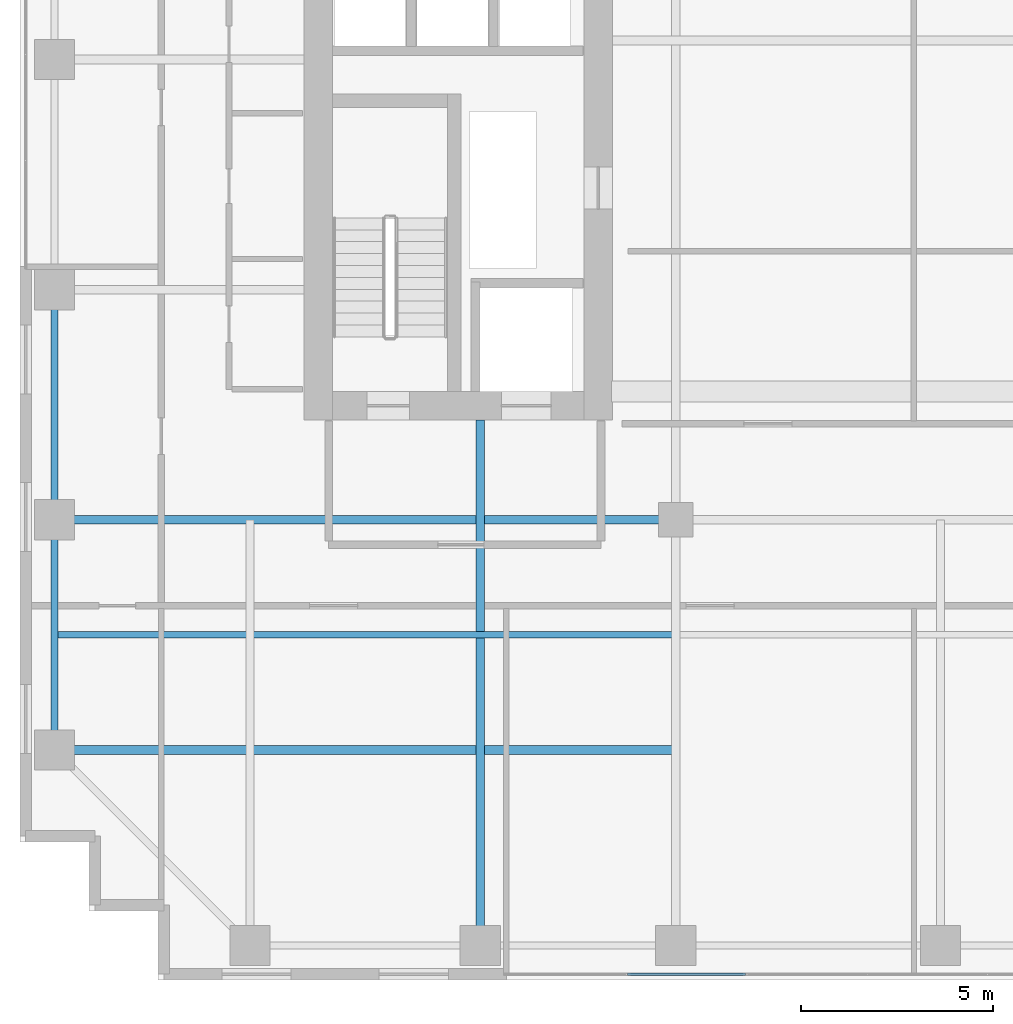
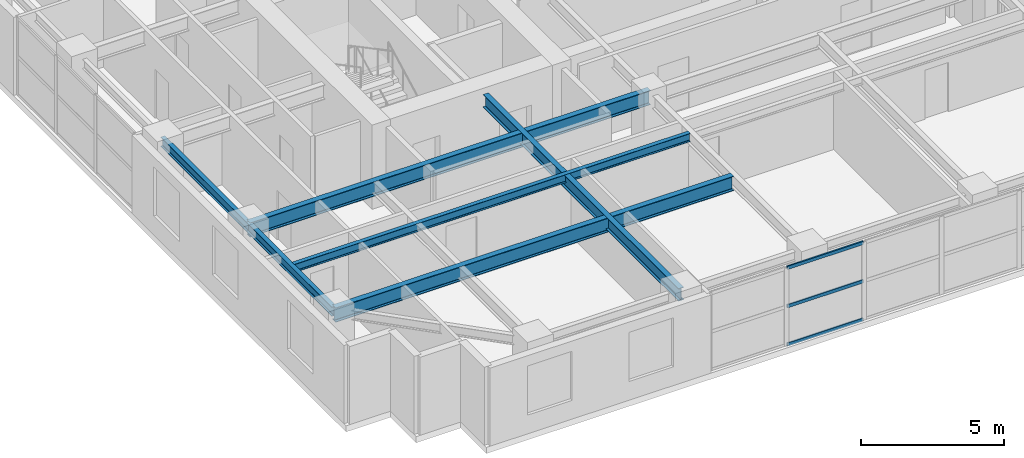
# One storey, part 3 of 18: 6 beams, 3 members, 1 element without a shape of its own.
"""IFC4 building model written with IfcOpenShell, lengths in metres."""

from ifc_helpers import new_model, si_unit, direction, frame, origin, origin_2d, place, context, subcontext, project, spatial, hollow_rectangle, i_section, extrude, source, transform, mapped, material, layer, layer_set, material_profile, profile_set, type_object, element, aggregate, save


model = new_model("IFC4")

# Units and contexts
model_context = context("Model", 3, precision=1e-05, world=origin(), true_north=direction((0.0, 1.0)))
body_context = subcontext(model_context, "Body", "Model", "MODEL_VIEW")
ifc_project = project(units=[si_unit("LENGTHUNIT", "METRE"), si_unit("AREAUNIT", "SQUARE_METRE"), si_unit("VOLUMEUNIT", "CUBIC_METRE"), si_unit("PLANEANGLEUNIT", "RADIAN"), si_unit("MASSUNIT", "GRAM", prefix="KILO")], contexts=[model_context])

# Site, building, storey
site_placement = place(None, origin())
site = spatial("IfcSite", under=ifc_project, at=site_placement, CompositionType="ELEMENT")
building_placement = place(site_placement, origin())
building = spatial("IfcBuilding", under=site, at=building_placement, Name="Khoralis Quay Care Tower", CompositionType="ELEMENT")
storey_placement = place(building_placement, frame((0.0, 0.0, 130.5)))
storey = spatial("IfcBuildingStorey", under=building, at=storey_placement, Name="L34", CompositionType="ELEMENT", Elevation=130.5)

# Beams
ifc_material_1 = material(Name="Steel S355", Category="steel")
ifc_material_profile_1 = material_profile(ifc_material_1, i_section(OverallWidth=0.179931640625, OverallDepth=0.39990234375, WebThickness=0.008544921875, FlangeThickness=0.013427734375, FilletRadius=0.02099609375, at=origin_2d()), Name="Steel S355")
ifc_profile_set_1 = profile_set([ifc_material_profile_1], Name="Steel S355")
beam_type_1 = type_object("IfcBeamType", Name="BM-IPE400", PredefinedType="SPANDREL", material=ifc_profile_set_1)
shared_shape_1 = source(origin(), body_context, "Body", "SweptSolid", [
    extrude(i_section(OverallWidth=0.179931640625, OverallDepth=0.39990234375, WebThickness=0.008544921875, FlangeThickness=0.013427734375, FilletRadius=0.02099609375, at=origin_2d()), origin(), (0.0, 0.0, 1.0), 6.0),
])
for number, where, z_axis, x_axis, name in (
    (1, (0.89990234375, 6.0, 3.139892578125), (0.0, 1.0, 0.0), (-1.0, 0.0, 0.0), "BM-TSP-L34-11"),
    (2, (0.89990234375, 12.0, 3.139892578125), (0.0, 1.0, 0.0), (-1.0, 0.0, 0.0), "BM-TSP-L34-12"),
):
    element("IfcBeam", number, at=place(storey_placement, frame(where, z_axis=z_axis, x_axis=x_axis)), inside=storey, type_object=beam_type_1, Name=name, PredefinedType="SPANDREL", context=body_context, shape_type="MappedRepresentation", body=[
        mapped(shared_shape_1, transform((0.0, 0.0, 0.0), scale=1.0)),
    ])
ifc_material_profile_2 = material_profile(ifc_material_1, i_section(OverallWidth=0.22998046875, OverallDepth=0.616943359375, WebThickness=0.01318359375, FlangeThickness=0.022216796875, FilletRadius=0.01806640625, at=origin_2d()), Name="Steel S355")
ifc_profile_set_2 = profile_set([ifc_material_profile_2], Name="Steel S355")
beam_type_2 = type_object("IfcBeamType", Name="BM-W610X140", PredefinedType="BEAM", material=ifc_profile_set_2)
shared_shape_2 = source(origin(), body_context, "Body", "SweptSolid", [
    extrude(i_section(OverallWidth=0.22998046875, OverallDepth=0.616943359375, WebThickness=0.01318359375, FlangeThickness=0.022216796875, FilletRadius=0.01806640625, at=origin_2d()), origin(), (0.0, 0.0, 1.0), 16.106201171875),
])
beam_1_placement = place(storey_placement, frame((0.89990234375, 6.0, 3.031494140625), z_axis=(1.0, 0.0, 0.0), x_axis=(0.0, 1.0, 0.0)))
element("IfcBeam", 3, at=beam_1_placement, inside=storey, type_object=beam_type_2, Name="BM-TGXW-L34-60", PredefinedType="BEAM", context=body_context, shape_type="MappedRepresentation", body=[
    mapped(shared_shape_2, transform((0.0, 0.0, 0.0), scale=1.0)),
])
shared_shape_3 = source(origin(), body_context, "Body", "SweptSolid", [
    extrude(i_section(OverallWidth=0.22998046875, OverallDepth=0.616943359375, WebThickness=0.01318359375, FlangeThickness=0.022216796875, FilletRadius=0.01806640625, at=origin_2d()), origin(), (0.0, 0.0, 1.0), 16.2001953125),
])
beam_2_placement = place(storey_placement, frame((0.89990234375, 12.0, 3.031494140625), z_axis=(1.0, 0.0, 0.0), x_axis=(0.0, 1.0, 0.0)))
element("IfcBeam", 4, at=beam_2_placement, inside=storey, type_object=beam_type_2, Name="BM-TGXW-L34-120", PredefinedType="BEAM", context=body_context, shape_type="MappedRepresentation", body=[
    mapped(shared_shape_3, transform((0.0, 0.0, 0.0), scale=1.0)),
])
ifc_material_profile_3 = material_profile(ifc_material_1, i_section(OverallWidth=0.2119140625, OverallDepth=0.5439453125, WebThickness=0.01318359375, FlangeThickness=0.021240234375, FilletRadius=0.01611328125, at=origin_2d()), Name="Steel S355")
ifc_profile_set_3 = profile_set([ifc_material_profile_3], Name="Steel S355")
beam_type_3 = type_object("IfcBeamType", Name="BM-W530X123", PredefinedType="BEAM", material=ifc_profile_set_3)
shared_shape_4 = source(origin(), body_context, "Body", "SweptSolid", [
    extrude(i_section(OverallWidth=0.2119140625, OverallDepth=0.5439453125, WebThickness=0.01318359375, FlangeThickness=0.021240234375, FilletRadius=0.01611328125, at=origin_2d()), origin(), (0.0, 0.0, 1.0), 13.7021484375),
])
beam_3_placement = place(storey_placement, frame((12.0, 0.89990234375, 3.068115234375), z_axis=(0.0, 1.0, 0.0), x_axis=(-1.0, 0.0, 0.0)))
element("IfcBeam", 5, at=beam_3_placement, inside=storey, type_object=beam_type_3, Name="BM-TGYS-L34-120", PredefinedType="BEAM", context=body_context, shape_type="MappedRepresentation", body=[
    mapped(shared_shape_4, transform((0.0, 0.0, 0.0), scale=1.0)),
])
ifc_material_profile_4 = material_profile(ifc_material_1, i_section(OverallWidth=0.1708984375, OverallDepth=0.35498046875, WebThickness=0.007080078125, FlangeThickness=0.01171875, FilletRadius=0.012939453125, at=origin_2d()), Name="Steel S355")
ifc_profile_set_4 = profile_set([ifc_material_profile_4], Name="Steel S355")
beam_type_4 = type_object("IfcBeamType", Name="BM-W360X51", PredefinedType="JOIST", material=ifc_profile_set_4)
shared_shape_5 = source(origin(), body_context, "Body", "SweptSolid", [
    extrude(i_section(OverallWidth=0.1708984375, OverallDepth=0.35498046875, WebThickness=0.007080078125, FlangeThickness=0.01171875, FilletRadius=0.012939453125, at=origin_2d()), origin(), (0.0, 0.0, 1.0), 16.030029296875),
])
beam_4_placement = place(storey_placement, frame((0.97607421875, 9.0, 3.16259765625), z_axis=(1.0, 0.0, 0.0), x_axis=(0.0, 1.0, 0.0)))
element("IfcBeam", 6, at=beam_4_placement, inside=storey, type_object=beam_type_4, Name="BM-TJS-L34-25", PredefinedType="JOIST", context=body_context, shape_type="MappedRepresentation", body=[
    mapped(shared_shape_5, transform((0.0, 0.0, 0.0), scale=1.0)),
])

# Curtain wall, members
ifc_material_2 = material(Name="Pale anodised aluminium", Category="aluminium")
ifc_layer = layer(ifc_material_2, 0.169921875)
ifc_layer_set = layer_set([ifc_layer], Name="Pale anodised aluminium")
curtain_wall_type = type_object("IfcCurtainWallType", Name="CW-SYS-Z2", PredefinedType="NOTDEFINED", material=ifc_layer_set)
curtain_wall_placement = place(storey_placement, origin())
curtain_wall = element("IfcCurtainWall", 7, at=curtain_wall_placement, inside=storey, type_object=curtain_wall_type, Name="L34 Unitised Curtain Wall CW-L34-P1-E0", PredefinedType="NOTDEFINED")
ifc_material_profile_5 = material_profile(ifc_material_2, hollow_rectangle(XDim=0.06005859375, YDim=0.139892578125, WallThickness=0.00390625, at=origin_2d()), Name="Pale anodised aluminium")
ifc_profile_set_5 = profile_set([ifc_material_profile_5], Name="Pale anodised aluminium")
member_type = type_object("IfcMemberType", Name="CW-TRN-140", PredefinedType="USERDEFINED", material=ifc_profile_set_5)
shared_shape_6 = source(origin(), body_context, "Body", "SweptSolid", [
    extrude(hollow_rectangle(XDim=0.06005859375, YDim=0.139892578125, WallThickness=0.00390625, at=origin_2d()), origin(), (0.0, 0.0, 1.0), 3.07666015625),
])
member_1_placement = place(storey_placement, frame((15.8466796875, 0.14990234375, 0.030029296875), z_axis=(1.0, 0.0, 0.0), x_axis=(0.0, 1.0, 0.0)))
member_1 = element("IfcMember", 8, at=member_1_placement, type_object=member_type, Name="CW2 transom 2.1", ObjectType="TRANSOM", PredefinedType="USERDEFINED", context=body_context, shape_type="MappedRepresentation", body=[
    mapped(shared_shape_6, transform((0.0, 0.0, 0.0), scale=1.0)),
])
member_2_placement = place(storey_placement, frame((15.8466796875, 0.14990234375, 1.669921875), z_axis=(1.0, 0.0, 0.0), x_axis=(0.0, 1.0, 0.0)))
member_2 = element("IfcMember", 9, at=member_2_placement, type_object=member_type, Name="CW2 transom 2.2", ObjectType="TRANSOM", PredefinedType="USERDEFINED", context=body_context, shape_type="MappedRepresentation", body=[
    mapped(shared_shape_6, transform((0.0, 0.0, 0.0), scale=1.0)),
])
member_3_placement = place(storey_placement, frame((15.8466796875, 0.14990234375, 3.31005859375), z_axis=(1.0, 0.0, 0.0), x_axis=(0.0, 1.0, 0.0)))
member_3 = element("IfcMember", 10, at=member_3_placement, type_object=member_type, Name="CW2 transom 2.3", ObjectType="TRANSOM", PredefinedType="USERDEFINED", context=body_context, shape_type="MappedRepresentation", body=[
    mapped(shared_shape_6, transform((0.0, 0.0, 0.0), scale=1.0)),
])
aggregate(curtain_wall, [member_1, member_2, member_3])

save(model, "model.ifc")
